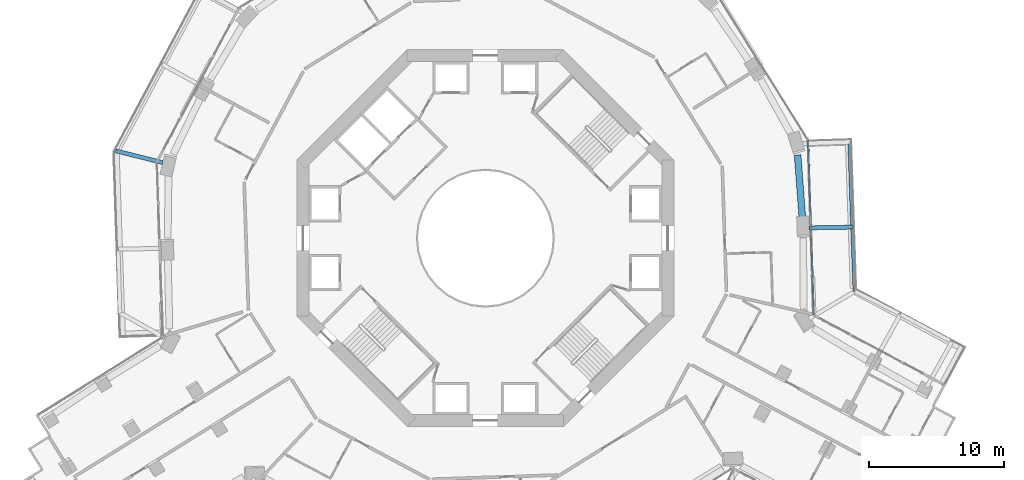
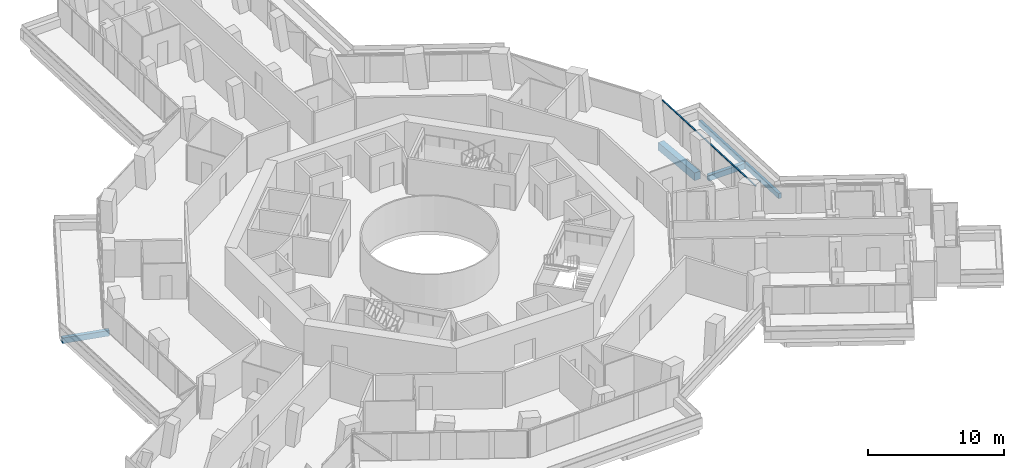
# One storey, part 7 of 27: 5 beams, 1 member, 1 element without a shape of its own.
"""IFC4 building model written with IfcOpenShell, lengths in metres."""

import ifcopenshell
import ifcopenshell.guid

model = None  # the IFC model being written
_history = None  # IfcOwnerHistory: only IFC2X3 demands one
_inside = {}  # id of a spatial element -> (the spatial element, [elements in it])
_under = {}  # id of a project, library or spatial element -> (it, [spatial elements below it])
_declared = {}  # id of a project -> (the project, [libraries it declares])
_typed = {}  # id of a type object -> (the type object, [elements of that type])
_made_of = {}  # id of a material, layer set ... -> (it, [elements and type objects made of it])


def new_model(schema):
    """Start an empty IFC model of exactly this schema.

    Asked for "IFC4X3", IfcOpenShell would pick the latest addendum, in which some entities
    have other attributes; the version numbers below select the first issue.
    IFC2X3 requires an IfcOwnerHistory on every rooted entity: one is made here for all.
    """
    global model, _history
    if schema == "IFC4X3":
        model = ifcopenshell.file(schema_version=(4, 3, 0, 0))
    else:
        model = ifcopenshell.file(schema=schema)
    _inside.clear()
    _under.clear()
    _declared.clear()
    _typed.clear()
    _made_of.clear()
    _history = None
    if model.schema == "IFC2X3":
        org = make("IfcOrganization", Name="unknown")
        user = make(
            "IfcPersonAndOrganization",
            ThePerson=make("IfcPerson", FamilyName="unknown"),
            TheOrganization=org,
        )
        app = make(
            "IfcApplication",
            ApplicationDeveloper=org,
            Version="unknown",
            ApplicationFullName="unknown",
            ApplicationIdentifier="unknown",
        )
        _history = make(
            "IfcOwnerHistory",
            OwningUser=user,
            OwningApplication=app,
            ChangeAction="ADDED",
            CreationDate=0,
        )
    return model


def make(cls, **values):
    """One entity of the class cls with the attributes given. An attribute that is None is left unset."""
    return model.create_entity(
        cls, **{name: value for name, value in values.items() if value is not None}
    )


def rooted(cls, **values):
    """An entity with a GlobalId (a new one), such as an element, a storey or a relation."""
    return make(cls, GlobalId=ifcopenshell.guid.new(), OwnerHistory=_history, **values)


def si_unit(unit_type, name, prefix=None):
    """IfcSIUnit, for example si_unit("LENGTHUNIT", "METRE", prefix="MILLI")."""
    return make("IfcSIUnit", UnitType=unit_type, Prefix=prefix, Name=name)


def assignment(units):
    """IfcUnitAssignment: the units of a project."""
    return None if units is None else make("IfcUnitAssignment", Units=units)


def point(xyz):
    """IfcCartesianPoint."""
    return None if xyz is None else make("IfcCartesianPoint", Coordinates=xyz)


def direction(xyz):
    """IfcDirection."""
    return None if xyz is None else make("IfcDirection", DirectionRatios=xyz)


def frame(location, z_axis=None, x_axis=None):
    """IfcAxis2Placement3D, a coordinate frame: its origin and axes. An axis left out is left unset."""
    return make(
        "IfcAxis2Placement3D",
        Location=point(location),
        Axis=direction(z_axis),
        RefDirection=direction(x_axis),
    )


def frame_2d(location, x_axis=None):
    """IfcAxis2Placement2D, a coordinate frame in the plane: its origin and x axis."""
    return make(
        "IfcAxis2Placement2D", Location=point(location), RefDirection=direction(x_axis)
    )


def origin():
    """The frame at (0, 0, 0) with its axes left unset."""
    return frame((0.0, 0.0, 0.0))


def origin_2d():
    """The frame at (0, 0) in the plane with its x axis left unset."""
    return frame_2d((0.0, 0.0))


def place(relative_to, where):
    """IfcLocalPlacement: puts the frame where relative to a parent placement (None: the world)."""
    return make(
        "IfcLocalPlacement", PlacementRelTo=relative_to, RelativePlacement=where
    )


def context(
    kind, dimensions, precision=None, world=None, true_north=None, identifier=None
):
    """IfcGeometricRepresentationContext, for example the 3D "Model" context."""
    return make(
        "IfcGeometricRepresentationContext",
        ContextIdentifier=identifier,
        ContextType=kind,
        CoordinateSpaceDimension=dimensions,
        Precision=precision,
        WorldCoordinateSystem=world,
        TrueNorth=true_north,
    )


def subcontext(parent, identifier, kind, view, scale=None):
    """IfcGeometricRepresentationSubContext, for example "Body" below "Model"."""
    return make(
        "IfcGeometricRepresentationSubContext",
        ContextIdentifier=identifier,
        ContextType=kind,
        ParentContext=parent,
        TargetScale=scale,
        TargetView=view,
    )


def project(units=None, contexts=None):
    """IfcProject with its units and contexts."""
    return rooted(
        "IfcProject",
        Name="project",
        RepresentationContexts=contexts,
        UnitsInContext=assignment(units),
    )


def spatial(cls, under=None, at=None, **own):
    """A site, building, storey or space (cls), placed at a placement, below another one or the project."""
    s = rooted(cls, ObjectPlacement=at, **own)
    if under is not None:
        _under.setdefault(under.id(), (under, []))[1].append(s)
    return s


def profile(cls, at=None, kind="AREA", **sizes):
    """A parametric profile (cls). Its sizes go by their IFC names, for example OverallWidth=200.0."""
    return make(cls, ProfileType=kind, Position=at, **sizes)


def rectangle(**sizes):
    """IfcRectangleProfileDef."""
    return profile("IfcRectangleProfileDef", **sizes)


def extrude(swept, where, along, depth):
    """IfcExtrudedAreaSolid: the profile swept, set in the frame where, extruded along a direction by depth."""
    return make(
        "IfcExtrudedAreaSolid",
        SweptArea=swept,
        Position=where,
        ExtrudedDirection=direction(along),
        Depth=depth,
    )


def shape(context_of_items, identifier, shape_type, items):
    """IfcShapeRepresentation: the items that make up one representation, for example the "Body"."""
    return make(
        "IfcShapeRepresentation",
        ContextOfItems=context_of_items,
        RepresentationIdentifier=identifier,
        RepresentationType=shape_type,
        Items=items,
    )


def material(Name=None, Category=None):
    """IfcMaterial."""
    return make("IfcMaterial", Name=Name, Category=Category)


def layer(
    of_material, thickness, ventilated=None, Name=None, Category=None, Priority=None
):
    """IfcMaterialLayer: one layer of a wall or slab, of a material (None: an air gap)."""
    return make(
        "IfcMaterialLayer",
        Material=of_material,
        LayerThickness=thickness,
        IsVentilated=ventilated,
        Name=Name,
        Category=Category,
        Priority=Priority,
    )


def layer_set(layers, Name=None):
    """IfcMaterialLayerSet."""
    return make("IfcMaterialLayerSet", MaterialLayers=layers, LayerSetName=Name)


def material_profile(
    of_material, cross_section, Name=None, Category=None, Priority=None
):
    """IfcMaterialProfile: a cross section and its material."""
    return make(
        "IfcMaterialProfile",
        Name=Name,
        Material=of_material,
        Profile=cross_section,
        Priority=Priority,
        Category=Category,
    )


def profile_set(profiles, Name=None, composite=None):
    """IfcMaterialProfileSet."""
    return make(
        "IfcMaterialProfileSet",
        Name=Name,
        MaterialProfiles=profiles,
        CompositeProfile=composite,
    )


def made_of(thing, what):
    """Note that an element or type object is made of a material, layer set ...; save() writes the relation."""
    if what is not None:
        _made_of.setdefault(what.id(), (what, []))[1].append(thing)
    return thing


def type_object(cls, material=None, **own):
    """A type object (cls), such as IfcWallType, which elements share."""
    return made_of(rooted(cls, **own), material)


def element(
    cls,
    number,
    at=None,
    inside=None,
    cuts=None,
    type_object=None,
    material=None,
    context=None,
    identifier="Body",
    shape_type=None,
    held_by="IfcProductDefinitionShape",
    body=None,
    shapes=None,
    **own,
):
    """One element of the class cls, such as IfcWall. Its Tag is "e" and its number.

    at: its placement. inside: the storey or other place that contains it. cuts: it is an
    opening in that element (IfcRelVoidsElement). A single representation is given by context,
    identifier, shape_type and body (its items); several are given by shapes. held_by: the class
    of the entity that holds the representations. save() writes the other relations.
    """
    e = rooted(cls, Tag="e%d" % number, ObjectPlacement=at, **own)
    if body is not None:
        shapes = [shape(context, identifier, shape_type, body)]
    if shapes is not None:
        e.Representation = make(held_by, Representations=shapes)
    if inside is not None:
        _inside.setdefault(inside.id(), (inside, []))[1].append(e)
    if cuts is not None:
        rooted(
            "IfcRelVoidsElement", RelatingBuildingElement=cuts, RelatedOpeningElement=e
        )
    if type_object is not None:
        _typed.setdefault(type_object.id(), (type_object, []))[1].append(e)
    return made_of(e, material)


def aggregate(whole, parts):
    """IfcRelAggregates: a whole, such as a stair, and the parts it consists of."""
    return rooted("IfcRelAggregates", RelatingObject=whole, RelatedObjects=parts)


def save(model, path):
    """Write the relations noted so far, then the file.

    IfcRelAggregates (storeys below a building ...), IfcRelContainedInSpatialStructure (elements
    in a storey), IfcRelDefinesByType, IfcRelAssociatesMaterial and IfcRelDeclares: one each for
    every whole, place, type object, material and project.
    """
    for whole, parts in _under.values():
        aggregate(whole, parts)
    for where, things in _inside.values():
        rooted(
            "IfcRelContainedInSpatialStructure",
            RelatedElements=things,
            RelatingStructure=where,
        )
    for kind, things in _typed.values():
        rooted("IfcRelDefinesByType", RelatedObjects=things, RelatingType=kind)
    for what, things in _made_of.values():
        rooted("IfcRelAssociatesMaterial", RelatedObjects=things, RelatingMaterial=what)
    for by, libraries in _declared.values():
        rooted("IfcRelDeclares", RelatingContext=by, RelatedDefinitions=libraries)
    model.write(path)


model = new_model("IFC4")

# Units and contexts
model_context = context("Model", 3, precision=1e-05, world=origin(), true_north=direction((0.0, 1.0)))
body_context = subcontext(model_context, "Body", "Model", "MODEL_VIEW")
ifc_project = project(units=[si_unit("LENGTHUNIT", "METRE"), si_unit("AREAUNIT", "SQUARE_METRE"), si_unit("VOLUMEUNIT", "CUBIC_METRE"), si_unit("PLANEANGLEUNIT", "RADIAN"), si_unit("MASSUNIT", "GRAM", prefix="KILO")], contexts=[model_context])

# Site, building, storey
site_placement = place(None, origin())
site = spatial("IfcSite", under=ifc_project, at=site_placement, CompositionType="ELEMENT")
building_placement = place(site_placement, origin())
building = spatial("IfcBuilding", under=site, at=building_placement, Name="Verdalira Terraces Hotel", CompositionType="ELEMENT")
storey_placement = place(building_placement, frame((0.0, 0.0, 42.5)))
storey = spatial("IfcBuildingStorey", under=building, at=storey_placement, Name="L08", CompositionType="ELEMENT", Elevation=42.5)

# Beams
ifc_material_1 = material(Name="Concrete C40", Category="concrete")
ifc_material_profile_1 = material_profile(ifc_material_1, rectangle(XDim=0.300049, YDim=0.5, at=origin_2d()), Name="RC 300X500")
ifc_profile_set_1 = profile_set([ifc_material_profile_1], Name="Concrete C40")
beam_type_1 = type_object("IfcBeamType", Name="Balcony cantilever beam RC 300X500 C40", PredefinedType="BEAM", material=ifc_profile_set_1)
beam_1_placement = place(storey_placement, frame((-23.952881, 5.609619, -0.560059), z_axis=(-0.970110558, 0.242663357, 0.0), x_axis=(-0.242663357, -0.970110558, 0.0)))
element("IfcBeam", 1, at=beam_1_placement, inside=storey, type_object=beam_type_1, Name="Balcony cantilever beam R12-5", PredefinedType="BEAM", context=body_context, shape_type="SweptSolid", body=[
    extrude(rectangle(XDim=0.300049, YDim=0.5, at=origin_2d()), origin(), (0.0, 0.0, 1.0), 3.597656),
])
beam_2_placement = place(storey_placement, frame((24.045898, 0.763428, -0.560059), z_axis=(0.999859206, 0.01678, 0.0), x_axis=(-0.01678, 0.999859206, 0.0)))
element("IfcBeam", 2, at=beam_2_placement, inside=storey, type_object=beam_type_1, Name="Balcony cantilever beam R38-4", PredefinedType="BEAM", context=body_context, shape_type="SweptSolid", body=[
    extrude(rectangle(XDim=0.300049, YDim=0.5, at=origin_2d()), origin(), (0.0, 0.0, 1.0), 3.200928),
])
ifc_material_2 = material(Name="Concrete C40", Category="concrete")
ifc_material_profile_2 = material_profile(ifc_material_2, rectangle(XDim=0.25, YDim=0.449951, at=origin_2d()), Name="RC 250X450")
ifc_profile_set_2 = profile_set([ifc_material_profile_2], Name="Concrete C40")
beam_type_2 = type_object("IfcBeamType", Name="Balcony edge beam RC 250X450 C40", PredefinedType="BEAM", material=ifc_profile_set_2)
beam_3_placement = place(storey_placement, frame((27.422607, -3.955811, -0.534912), z_axis=(-0.036905787, 0.999318749, 0.0), x_axis=(-0.999318749, -0.036905787, 0.0)))
element("IfcBeam", 3, at=beam_3_placement, inside=storey, type_object=beam_type_2, Name="Balcony edge beam R38-3", PredefinedType="BEAM", context=body_context, shape_type="SweptSolid", body=[
    extrude(rectangle(XDim=0.25, YDim=0.449951, at=origin_2d()), origin(), (0.0, 0.0, 1.0), 4.776123),
])
beam_4_placement = place(storey_placement, frame((27.241211, 0.967041, -0.534912), z_axis=(-0.033477083, 0.999439485, 0.0), x_axis=(-0.999439485, -0.033477083, 0.0)))
element("IfcBeam", 4, at=beam_4_placement, inside=storey, type_object=beam_type_2, Name="Balcony edge beam R38-4", PredefinedType="BEAM", context=body_context, shape_type="SweptSolid", body=[
    extrude(rectangle(XDim=0.25, YDim=0.449951, at=origin_2d()), origin(), (0.0, 0.0, 1.0), 6.162354),
])

# Curtain wall, member
ifc_material_3 = material(Name="Clear glass", Category="glass")
ifc_layer = layer(ifc_material_3, 0.14990234375)
ifc_layer_set = layer_set([ifc_layer], Name="CW1 curtain wall")
curtain_wall_type = type_object("IfcCurtainWallType", Name="CW1 curtain wall", PredefinedType="NOTDEFINED", material=ifc_layer_set)
curtain_wall_placement = place(storey_placement, origin())
curtain_wall = element("IfcCurtainWall", 5, at=curtain_wall_placement, inside=storey, type_object=curtain_wall_type, Name="CW1 curtain wall L08 edge 39", PredefinedType="NOTDEFINED")
ifc_material_4 = material(Name="Terracotta frame", Category="masonry")
ifc_material_profile_3 = material_profile(ifc_material_4, rectangle(XDim=0.110107, YDim=0.064941, at=origin_2d()), Name="TR 65x110")
ifc_profile_set_3 = profile_set([ifc_material_profile_3], Name="Terracotta frame")
member_type = type_object("IfcMemberType", Name="CW1 transom 65x110", PredefinedType="USERDEFINED", material=ifc_profile_set_3)
member_placement = place(storey_placement, frame((24.387451, -5.686035, 2.45752), z_axis=(-0.033494851, 0.99943889, 0.0), x_axis=(-0.99943889, -0.033494851, 0.0)))
member = element("IfcMember", 6, at=member_placement, type_object=member_type, Name="CW1 transom", ObjectType="TRANSOM", PredefinedType="USERDEFINED", context=body_context, shape_type="SweptSolid", body=[
    extrude(rectangle(XDim=0.110107, YDim=0.064941, at=origin_2d()), origin(), (0.0, 0.0, 1.0), 12.959717),
])
aggregate(curtain_wall, [member])

# Beam
ifc_material_5 = material(Name="Concrete C70", Category="concrete")
ifc_material_profile_4 = material_profile(ifc_material_5, rectangle(XDim=0.5, YDim=0.699951, at=origin_2d()), Name="RC 500X700")
ifc_profile_set_4 = profile_set([ifc_material_profile_4], Name="Concrete C70")
beam_type_3 = type_object("IfcBeamType", Name="Spandrel beam RC 500X700 C70", PredefinedType="SPANDREL", material=ifc_profile_set_4)
beam_5_placement = place(storey_placement, frame((23.54248, 1.439453, -0.659912), z_axis=(-0.075008199, 0.997182917, 0.0), x_axis=(-0.997182917, -0.075008199, 0.0)))
element("IfcBeam", 7, at=beam_5_placement, inside=storey, type_object=beam_type_3, Name="Spandrel beam B31", PredefinedType="SPANDREL", context=body_context, shape_type="SweptSolid", body=[
    extrude(rectangle(XDim=0.5, YDim=0.699951, at=origin_2d()), origin(), (0.0, 0.0, 1.0), 4.755371),
])

save(model, "model.ifc")
